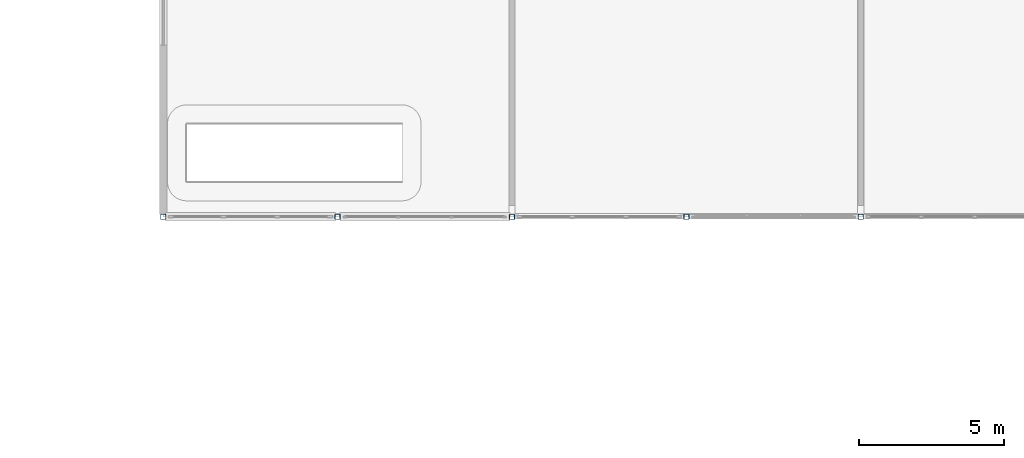
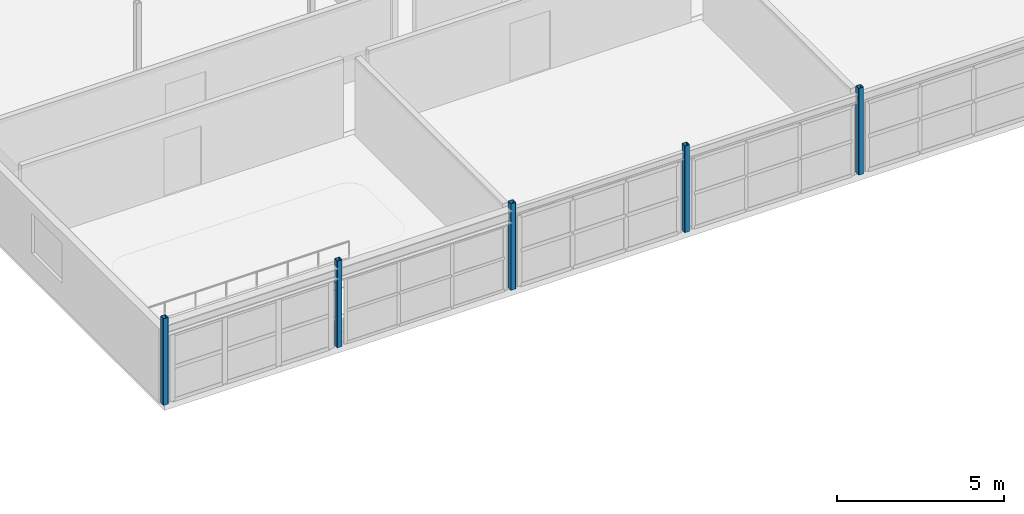
# One storey, part 4 of 137: 5 columns.
"""IFC4 building model written with IfcOpenShell, lengths in metres."""

from ifc_helpers import new_model, si_unit, direction, frame, origin, origin_2d, place, context, subcontext, project, spatial, hollow_rectangle, extrude, material, material_profile, profile_set, type_object, element, save


model = new_model("IFC4")

# Units and contexts
model_context = context("Model", 3, precision=1e-05, world=origin(), true_north=direction((0.0, 1.0)))
body_context = subcontext(model_context, "Body", "Model", "MODEL_VIEW")
ifc_project = project(units=[si_unit("LENGTHUNIT", "METRE"), si_unit("AREAUNIT", "SQUARE_METRE"), si_unit("VOLUMEUNIT", "CUBIC_METRE"), si_unit("PLANEANGLEUNIT", "RADIAN"), si_unit("MASSUNIT", "GRAM", prefix="KILO"), si_unit("POWERUNIT", "WATT"), si_unit("THERMODYNAMICTEMPERATUREUNIT", "KELVIN")], contexts=[model_context])

# Site, building, storey
site_placement = place(None, origin())
site = spatial("IfcSite", under=ifc_project, at=site_placement, CompositionType="ELEMENT")
building_placement = place(site_placement, origin())
building = spatial("IfcBuilding", under=site, at=building_placement, Name="Ruvembo Vaulted Housing Court", CompositionType="ELEMENT")
storey_placement = place(building_placement, frame((0.0, 0.0, 4.5)))
storey = spatial("IfcBuildingStorey", under=building, at=storey_placement, Name="L01", CompositionType="ELEMENT", Elevation=4.5)

# Columns
ifc_material = material(Name="Steel S355J2", Category="steel")
ifc_material_profile = material_profile(ifc_material, hollow_rectangle(XDim=0.179931640625, YDim=0.179931640625, WallThickness=0.010009765625, InnerFilletRadius=0.010009765625, OuterFilletRadius=0.02001953125, at=origin_2d()), Name="SHS 180x180x10")
ifc_profile_set = profile_set([ifc_material_profile], Name="Steel S355J2")
column_type = type_object("IfcColumnType", Name="COL-ST-SHS180", PredefinedType="COLUMN", material=ifc_profile_set)
for number, where, z_axis, x_axis, name in (
    (1, (6.0, 84.0, 0.0), (0.0, 0.0, 1.0), (1.0, 0.0, 0.0), "L01 Column (6,84)"),
    (2, (12.0, 84.0, 0.0), (0.0, 0.0, 1.0), (1.0, 0.0, 0.0), "L01 Column (12,84)"),
    (3, (18.0, 84.0, 0.0), (0.0, 0.0, 1.0), (1.0, 0.0, 0.0), "L01 Column (18,84)"),
    (4, (24.0, 84.0, 0.0), (0.0, 0.0, 1.0), (1.0, 0.0, 0.0), "L01 Column (24,84)"),
    (5, (30.0, 84.0, 0.0), (0.0, 0.0, 1.0), (1.0, 0.0, 0.0), "L01 Column (30,84)"),
):
    element("IfcColumn", number, at=place(storey_placement, frame(where, z_axis=z_axis, x_axis=x_axis)), inside=storey, type_object=column_type, Name=name, PredefinedType="COLUMN", context=body_context, shape_type="SweptSolid", body=[
        extrude(hollow_rectangle(XDim=0.179931640625, YDim=0.179931640625, WallThickness=0.010009765625, InnerFilletRadius=0.010009765625, OuterFilletRadius=0.02001953125, at=origin_2d()), origin(), (0.0, 0.0, 1.0), 3.159912109375),
    ])

save(model, "model.ifc")
